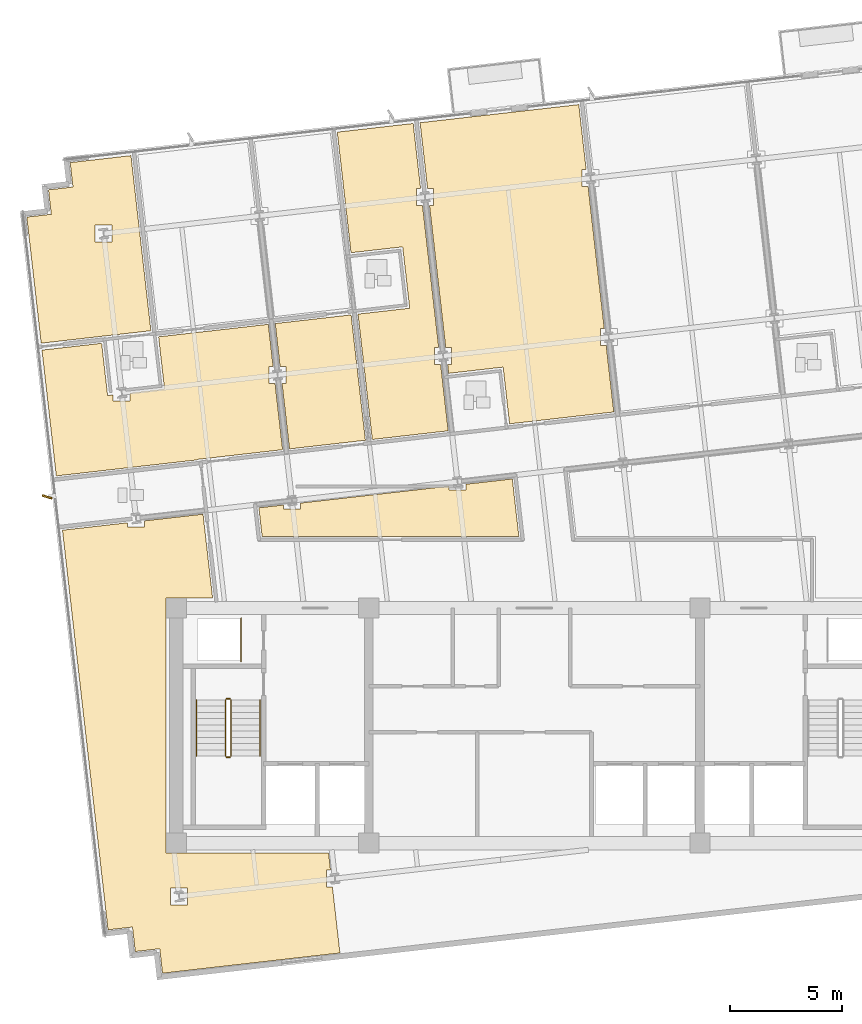
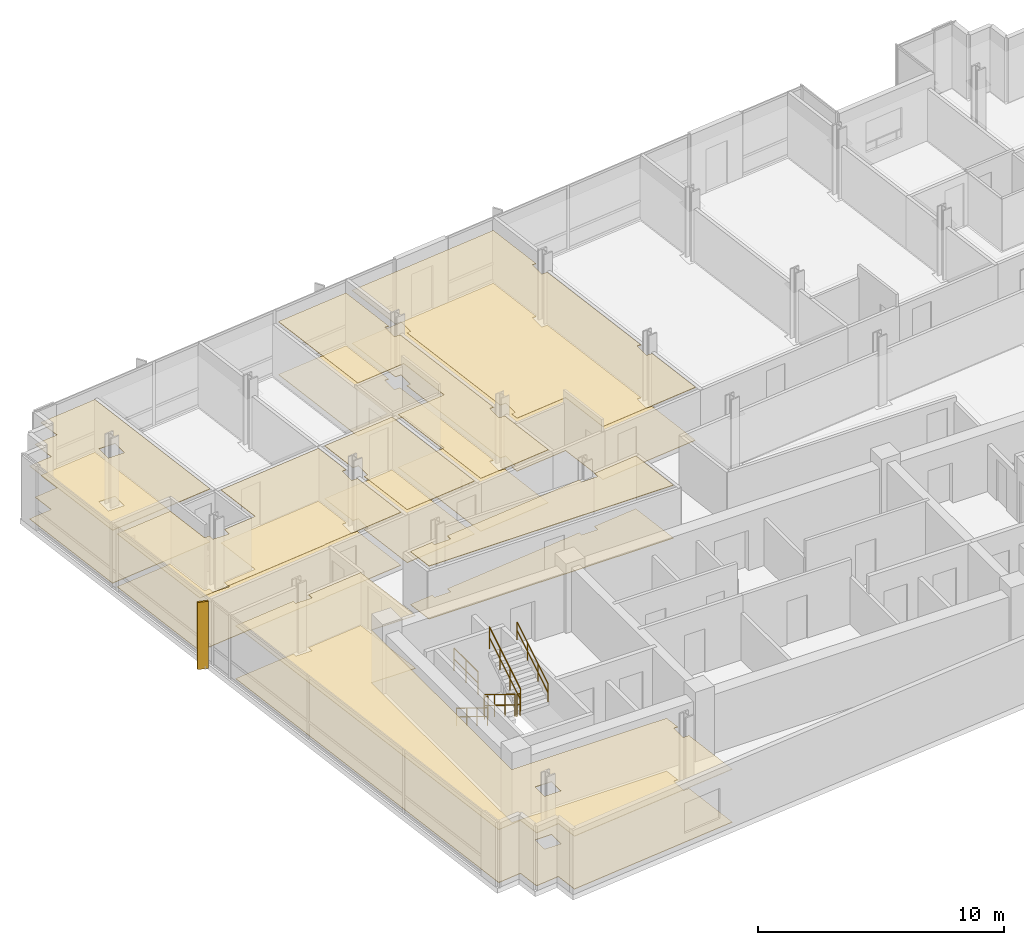
# One storey, part 13 of 16: 14 coverings, 7 railings, 1 shading device.
"""IFC4 building model written with IfcOpenShell, lengths in metres."""

from ifc_helpers import new_model, si_unit, direction, frame, origin, origin_2d, place, context, subcontext, project, spatial, polyline, rectangle, circle, outline, extrude, material, layer, layer_set, type_object, element, save


model = new_model("IFC4")

# Units and contexts
model_context = context("Model", 3, precision=1e-05, world=origin(), true_north=direction((0.0, 1.0)))
body_context = subcontext(model_context, "Body", "Model", "MODEL_VIEW")
ifc_project = project(units=[si_unit("LENGTHUNIT", "METRE"), si_unit("AREAUNIT", "SQUARE_METRE"), si_unit("VOLUMEUNIT", "CUBIC_METRE"), si_unit("PLANEANGLEUNIT", "RADIAN"), si_unit("MASSUNIT", "GRAM", prefix="KILO")], contexts=[model_context])

# Site, building, storey
site_placement = place(None, origin())
site = spatial("IfcSite", under=ifc_project, at=site_placement, CompositionType="ELEMENT")
building_placement = place(site_placement, origin())
building = spatial("IfcBuilding", under=site, at=building_placement, Name="Solmavex Isthmus Hotel", CompositionType="ELEMENT")
storey_placement = place(building_placement, frame((0.0, 0.0, 219.300048828125)))
storey = spatial("IfcBuildingStorey", under=building, at=storey_placement, Name="L59", CompositionType="ELEMENT", Elevation=219.300048828125)

# Coverings
ifc_material_1 = material(Name="Gypsum plasterboard lining", Category="gypsum")
ifc_layer_1 = layer(ifc_material_1, 0.030029296875)
ifc_layer_set_1 = layer_set([ifc_layer_1], Name="Gypsum plasterboard lining")
covering_type_1 = type_object("IfcCoveringType", Name="COV-CEIL-GYP", PredefinedType="CEILING", material=ifc_layer_set_1)
covering_1_placement = place(storey_placement, frame((0.0, 0.0, 2.619873046875)))
element("IfcCovering", 1, at=covering_1_placement, inside=storey, type_object=covering_type_1, Name="Suspended Acoustic Ceiling L59-ST01-FY", PredefinedType="CEILING", context=body_context, shape_type="SweptSolid", body=[
    extrude(outline(polyline([(-18.056396484375, 7.10693359375), (-18.056396484375, 6.739013671875), (-18.81640625, 6.739013671875), (-18.81640625, 7.0205078125), (-19.06689453125, 6.991943359375), (-19.3330078125, 9.32666015625), (-21.999755859375, 9.02294921875), (-21.359130859375, 3.4013671875), (-15.079833984375, 4.11669921875), (-15.08203125, 4.136474609375), (-11.2490234375, 4.5732421875), (-11.586181640625, 7.532470703125), (-11.853271484375, 7.532470703125), (-11.853271484375, 8.29248046875), (-11.672607421875, 8.29248046875), (-11.88720703125, 10.175048828125), (-16.78955078125, 9.616455078125), (-16.5234375, 7.28173828125), (-18.056396484375, 7.10693359375)])), origin(), (0.0, 0.0, 1.0), 0.030029296875),
])
covering_2_placement = place(storey_placement, frame((0.0, 0.0, 2.619873046875)))
element("IfcCovering", 2, at=covering_2_placement, inside=storey, type_object=covering_type_1, Name="Suspended Acoustic Ceiling L59-TB01", PredefinedType="CEILING", context=body_context, shape_type="SweptSolid", body=[
    extrude(outline(polyline([(-22.677001953125, 14.966552734375), (-22.58349609375, 14.146728515625), (-22.034912109375, 9.330810546875), (-17.132568359375, 9.889404296875), (-18.023681640625, 17.7109375), (-19.92041015625, 17.49462890625), (-20.740234375, 17.4013671875), (-20.615478515625, 16.308349609375), (-21.70849609375, 16.183837890625), (-21.583984375, 15.091064453125), (-22.677001953125, 14.966552734375)]), holes=[polyline([(-19.6259765625, 13.844970703125), (-19.6259765625, 14.60498046875), (-18.865966796875, 14.60498046875), (-18.865966796875, 13.844970703125), (-19.6259765625, 13.844970703125)])]), origin(), (0.0, 0.0, 1.0), 0.030029296875),
])
covering_3_placement = place(storey_placement, frame((0.0, 0.0, 2.619873046875)))
element("IfcCovering", 3, at=covering_3_placement, inside=storey, type_object=covering_type_1, Name="Suspended Acoustic Ceiling L59-SL02-FY", PredefinedType="CEILING", context=body_context, shape_type="SweptSolid", body=[
    extrude(outline(polyline([(-11.360595703125, 8.29248046875), (-11.09326171875, 8.29248046875), (-11.09326171875, 7.532470703125), (-11.274169921875, 7.532470703125), (-10.94091796875, 4.6083984375), (-7.5498046875, 4.994873046875), (-8.18798828125, 10.596435546875), (-11.5791015625, 10.210205078125), (-11.525634765625, 9.740234375), (-11.360595703125, 8.29248046875)])), origin(), (0.0, 0.0, 1.0), 0.030029296875),
])
covering_4_placement = place(storey_placement, frame((0.0, 0.0, 2.619873046875)))
element("IfcCovering", 4, at=covering_4_placement, inside=storey, type_object=covering_type_1, Name="Suspended Acoustic Ceiling L59-SV02", PredefinedType="CEILING", context=body_context, shape_type="SweptSolid", body=[
    extrude(outline(polyline([(-4.99755859375, 15.481201171875), (-5.264892578125, 15.481201171875), (-5.264892578125, 16.2412109375), (-5.084228515625, 16.2412109375), (-5.415283203125, 19.1474609375), (-8.806396484375, 18.760986328125), (-8.192626953125, 13.373779296875), (-5.884521484375, 13.636962890625), (-5.572021484375, 10.89453125), (-7.880126953125, 10.631591796875), (-7.241943359375, 5.02978515625), (-3.850830078125, 5.416259765625), (-4.18798828125, 8.375244140625), (-4.455322265625, 8.375244140625), (-4.455322265625, 9.13525390625), (-4.2744140625, 9.13525390625), (-4.99755859375, 15.481201171875)])), origin(), (0.0, 0.0, 1.0), 0.030029296875),
])
covering_5_placement = place(storey_placement, frame((0.0, 0.0, 2.619873046875)))
element("IfcCovering", 5, at=covering_5_placement, inside=storey, type_object=covering_type_1, Name="Suspended Acoustic Ceiling L59-RM03", PredefinedType="CEILING", context=body_context, shape_type="SweptSolid", body=[
    extrude(outline(polyline([(-3.962646484375, 9.13525390625), (-3.6953125, 9.13525390625), (-3.6953125, 8.375244140625), (-3.8759765625, 8.375244140625), (-3.83154296875, 7.98486328125), (-1.397216796875, 8.26220703125), (-1.108642578125, 5.728759765625), (3.54736328125, 6.259033203125), (3.210205078125, 9.21826171875), (2.94287109375, 9.21826171875), (2.94287109375, 9.978271484375), (3.12353515625, 9.978271484375), (2.400634765625, 16.32421875), (2.13330078125, 16.32421875), (2.13330078125, 17.084228515625), (2.31396484375, 17.084228515625), (1.98291015625, 19.990234375), (-5.107177734375, 19.182373046875), (-4.772216796875, 16.2412109375), (-4.5048828125, 16.2412109375), (-4.5048828125, 15.481201171875), (-4.685546875, 15.481201171875), (-3.962646484375, 9.13525390625)])), origin(), (0.0, 0.0, 1.0), 0.030029296875),
])
covering_6_placement = place(storey_placement, frame((0.0, 0.0, 2.619873046875)))
element("IfcCovering", 6, at=covering_6_placement, inside=storey, type_object=covering_type_1, Name="Suspended Acoustic Ceiling L59-FL09", PredefinedType="CEILING", context=body_context, shape_type="SweptSolid", body=[
    extrude(outline(polyline([(-10.4541015625, 2.18798828125), (-10.4541015625, 1.920654296875), (-11.214111328125, 1.920654296875), (-11.214111328125, 2.101318359375), (-12.309814453125, 1.9765625), (-12.1650390625, 0.705078125), (-0.694091796875, 0.705078125), (-0.986083984375, 3.2666015625), (-3.055908203125, 3.03076171875), (-3.055908203125, 2.763671875), (-3.81591796875, 2.763671875), (-3.81591796875, 2.9443359375), (-10.4541015625, 2.18798828125)])), origin(), (0.0, 0.0, 1.0), 0.030029296875),
])
covering_7_placement = place(storey_placement, frame((0.0, 0.0, 2.619873046875)))
element("IfcCovering", 7, at=covering_7_placement, inside=storey, type_object=covering_type_1, Name="Suspended Acoustic Ceiling L59-FL10", PredefinedType="CEILING", context=body_context, shape_type="SweptSolid", body=[
    extrude(outline(polyline([(-17.4169921875, 1.39453125), (-17.4169921875, 1.12744140625), (-18.177001953125, 1.12744140625), (-18.177001953125, 1.30810546875), (-21.0830078125, 0.97705078125), (-20.166748046875, -7.06591796875), (-19.572265625, -12.2822265625), (-19.14208984375, -16.057861328125), (-19.048828125, -16.87744140625), (-17.955810546875, -16.7529296875), (-17.873779296875, -17.473388671875), (-17.831298828125, -17.845947265625), (-16.73828125, -17.721435546875), (-16.61376953125, -18.814453125), (-15.794189453125, -18.720947265625), (-8.687255859375, -17.9111328125), (-8.85400390625, -16.44580078125), (-9.022216796875, -14.969970703125), (-9.28955078125, -14.969970703125), (-9.28955078125, -14.2099609375), (-9.10888671875, -14.2099609375), (-9.19482421875, -13.455078125), (-16.455078125, -13.455078125), (-16.455078125, -2.044921875), (-14.3779296875, -2.044921875), (-14.8037109375, 1.6923828125), (-17.4169921875, 1.39453125)]), holes=[polyline([(-16.25244140625, -15.763427734375), (-16.25244140625, -15.00341796875), (-15.492431640625, -15.00341796875), (-15.492431640625, -15.763427734375), (-16.25244140625, -15.763427734375)])]), origin(), (0.0, 0.0, 1.0), 0.030029296875),
])
ifc_material_2 = material(Name="Travertine natural stone", Category="masonry")
ifc_layer_2 = layer(ifc_material_2, 0.02490234375)
ifc_layer_set_2 = layer_set([ifc_layer_2], Name="Travertine natural stone")
covering_type_2 = type_object("IfcCoveringType", Name="COV-FLOR-STN", PredefinedType="FLOORING", material=ifc_layer_set_2)
covering_8_placement = place(storey_placement, origin())
element("IfcCovering", 8, at=covering_8_placement, inside=storey, type_object=covering_type_2, Name="Stone and Timber Floor Finish L59-ST01-FY", PredefinedType="FLOORING", context=body_context, shape_type="SweptSolid", body=[
    extrude(outline(polyline([(-18.056396484375, 7.10693359375), (-18.056396484375, 6.739013671875), (-18.81640625, 6.739013671875), (-18.81640625, 7.0205078125), (-19.06689453125, 6.991943359375), (-19.3330078125, 9.32666015625), (-21.999755859375, 9.02294921875), (-21.359130859375, 3.4013671875), (-15.079833984375, 4.11669921875), (-15.08203125, 4.136474609375), (-11.2490234375, 4.5732421875), (-11.586181640625, 7.532470703125), (-11.853271484375, 7.532470703125), (-11.853271484375, 8.29248046875), (-11.672607421875, 8.29248046875), (-11.88720703125, 10.175048828125), (-16.78955078125, 9.616455078125), (-16.5234375, 7.28173828125), (-18.056396484375, 7.10693359375)])), origin(), (0.0, 0.0, 1.0), 0.02490234375),
])
covering_9_placement = place(storey_placement, origin())
element("IfcCovering", 9, at=covering_9_placement, inside=storey, type_object=covering_type_2, Name="Stone and Timber Floor Finish L59-TB01", PredefinedType="FLOORING", context=body_context, shape_type="SweptSolid", body=[
    extrude(outline(polyline([(-22.677001953125, 14.966552734375), (-22.58349609375, 14.146728515625), (-22.034912109375, 9.330810546875), (-17.132568359375, 9.889404296875), (-18.023681640625, 17.7109375), (-19.92041015625, 17.49462890625), (-20.740234375, 17.4013671875), (-20.615478515625, 16.308349609375), (-21.70849609375, 16.183837890625), (-21.583984375, 15.091064453125), (-22.677001953125, 14.966552734375)]), holes=[polyline([(-19.6259765625, 13.844970703125), (-19.6259765625, 14.60498046875), (-18.865966796875, 14.60498046875), (-18.865966796875, 13.844970703125), (-19.6259765625, 13.844970703125)])]), origin(), (0.0, 0.0, 1.0), 0.02490234375),
])
covering_10_placement = place(storey_placement, origin())
element("IfcCovering", 10, at=covering_10_placement, inside=storey, type_object=covering_type_2, Name="Stone and Timber Floor Finish L59-SL02-FY", PredefinedType="FLOORING", context=body_context, shape_type="SweptSolid", body=[
    extrude(outline(polyline([(-11.360595703125, 8.29248046875), (-11.09326171875, 8.29248046875), (-11.09326171875, 7.532470703125), (-11.274169921875, 7.532470703125), (-10.94091796875, 4.6083984375), (-7.5498046875, 4.994873046875), (-8.18798828125, 10.596435546875), (-11.5791015625, 10.210205078125), (-11.525634765625, 9.740234375), (-11.360595703125, 8.29248046875)])), origin(), (0.0, 0.0, 1.0), 0.02490234375),
])
covering_11_placement = place(storey_placement, origin())
element("IfcCovering", 11, at=covering_11_placement, inside=storey, type_object=covering_type_2, Name="Stone and Timber Floor Finish L59-SV02", PredefinedType="FLOORING", context=body_context, shape_type="SweptSolid", body=[
    extrude(outline(polyline([(-4.99755859375, 15.481201171875), (-5.264892578125, 15.481201171875), (-5.264892578125, 16.2412109375), (-5.084228515625, 16.2412109375), (-5.415283203125, 19.1474609375), (-8.806396484375, 18.760986328125), (-8.192626953125, 13.373779296875), (-5.884521484375, 13.636962890625), (-5.572021484375, 10.89453125), (-7.880126953125, 10.631591796875), (-7.241943359375, 5.02978515625), (-3.850830078125, 5.416259765625), (-4.18798828125, 8.375244140625), (-4.455322265625, 8.375244140625), (-4.455322265625, 9.13525390625), (-4.2744140625, 9.13525390625), (-4.99755859375, 15.481201171875)])), origin(), (0.0, 0.0, 1.0), 0.02490234375),
])
covering_12_placement = place(storey_placement, origin())
element("IfcCovering", 12, at=covering_12_placement, inside=storey, type_object=covering_type_2, Name="Stone and Timber Floor Finish L59-RM03", PredefinedType="FLOORING", context=body_context, shape_type="SweptSolid", body=[
    extrude(outline(polyline([(-3.962646484375, 9.13525390625), (-3.6953125, 9.13525390625), (-3.6953125, 8.375244140625), (-3.8759765625, 8.375244140625), (-3.83154296875, 7.98486328125), (-1.397216796875, 8.26220703125), (-1.108642578125, 5.728759765625), (3.54736328125, 6.259033203125), (3.210205078125, 9.21826171875), (2.94287109375, 9.21826171875), (2.94287109375, 9.978271484375), (3.12353515625, 9.978271484375), (2.400634765625, 16.32421875), (2.13330078125, 16.32421875), (2.13330078125, 17.084228515625), (2.31396484375, 17.084228515625), (1.98291015625, 19.990234375), (-5.107177734375, 19.182373046875), (-4.772216796875, 16.2412109375), (-4.5048828125, 16.2412109375), (-4.5048828125, 15.481201171875), (-4.685546875, 15.481201171875), (-3.962646484375, 9.13525390625)])), origin(), (0.0, 0.0, 1.0), 0.02490234375),
])
covering_13_placement = place(storey_placement, origin())
element("IfcCovering", 13, at=covering_13_placement, inside=storey, type_object=covering_type_2, Name="Stone and Timber Floor Finish L59-FL09", PredefinedType="FLOORING", context=body_context, shape_type="SweptSolid", body=[
    extrude(outline(polyline([(-10.4541015625, 2.18798828125), (-10.4541015625, 1.920654296875), (-11.214111328125, 1.920654296875), (-11.214111328125, 2.101318359375), (-12.309814453125, 1.9765625), (-12.1650390625, 0.705078125), (-0.694091796875, 0.705078125), (-0.986083984375, 3.2666015625), (-3.055908203125, 3.03076171875), (-3.055908203125, 2.763671875), (-3.81591796875, 2.763671875), (-3.81591796875, 2.9443359375), (-10.4541015625, 2.18798828125)])), origin(), (0.0, 0.0, 1.0), 0.02490234375),
])
covering_14_placement = place(storey_placement, origin())
element("IfcCovering", 14, at=covering_14_placement, inside=storey, type_object=covering_type_2, Name="Stone and Timber Floor Finish L59-FL10", PredefinedType="FLOORING", context=body_context, shape_type="SweptSolid", body=[
    extrude(outline(polyline([(-17.4169921875, 1.39453125), (-17.4169921875, 1.12744140625), (-18.177001953125, 1.12744140625), (-18.177001953125, 1.30810546875), (-21.0830078125, 0.97705078125), (-20.166748046875, -7.06591796875), (-19.572265625, -12.2822265625), (-19.14208984375, -16.057861328125), (-19.048828125, -16.87744140625), (-17.955810546875, -16.7529296875), (-17.873779296875, -17.473388671875), (-17.831298828125, -17.845947265625), (-16.73828125, -17.721435546875), (-16.61376953125, -18.814453125), (-15.794189453125, -18.720947265625), (-8.687255859375, -17.9111328125), (-8.85400390625, -16.44580078125), (-9.022216796875, -14.969970703125), (-9.28955078125, -14.969970703125), (-9.28955078125, -14.2099609375), (-9.10888671875, -14.2099609375), (-9.19482421875, -13.455078125), (-16.455078125, -13.455078125), (-16.455078125, -2.044921875), (-14.3779296875, -2.044921875), (-14.8037109375, 1.6923828125), (-17.4169921875, 1.39453125)]), holes=[polyline([(-16.25244140625, -15.763427734375), (-16.25244140625, -15.00341796875), (-15.492431640625, -15.00341796875), (-15.492431640625, -15.763427734375), (-16.25244140625, -15.763427734375)])]), origin(), (0.0, 0.0, 1.0), 0.02490234375),
])

# Railings
ifc_material_3 = material(Name="Clear low-E laminated glass", Category="glass")
ifc_layer_3 = layer(ifc_material_3, 0.080078125)
ifc_layer_set_3 = layer_set([ifc_layer_3], Name="Clear low-E laminated glass")
railing_type_1 = type_object("IfcRailingType", Name="RAIL-ATRIUM-1120", PredefinedType="BALUSTRADE", material=ifc_layer_set_3)
railing_1_placement = place(storey_placement, frame((-13.10009765625, -4.89990234375, 0.0)))
element("IfcRailing", 15, at=railing_1_placement, inside=storey, type_object=railing_type_1, Name="Guardrail Balustrade L59-RSW-01", PredefinedType="BALUSTRADE", context=body_context, shape_type="SweptSolid", body=[
    extrude(circle(Radius=0.02392578125, at=origin_2d()), frame((0.0, 0.0, 1.1259765625), z_axis=(0.0, 1.0, 0.0), x_axis=(-1.0, 0.0, 0.0)), (0.0, 0.0, 1.0), 1.949951171875),
    extrude(circle(Radius=0.02392578125, at=origin_2d()), frame((0.0, 0.0, 0.574951171875), z_axis=(0.0, 1.0, 0.0), x_axis=(-1.0, 0.0, 0.0)), (0.0, 0.0, 1.0), 1.949951171875),
    extrude(circle(Radius=0.02099609375, at=origin_2d()), origin(), (0.0, 0.0, 1.0), 1.101806640625),
    extrude(circle(Radius=0.02099609375, at=origin_2d()), frame((0.0, 0.97509765625, 0.0)), (0.0, 0.0, 1.0), 1.101806640625),
    extrude(circle(Radius=0.02099609375, at=origin_2d()), frame((0.0, 1.949951171875, 0.0)), (0.0, 0.0, 1.0), 1.101806640625),
])
ifc_material_4 = material(Name="Stainless steel 316", Category="steel")
ifc_layer_4 = layer(ifc_material_4, 0.06005859375)
ifc_layer_set_4 = layer_set([ifc_layer_4], Name="Stainless steel 316")
railing_type_2 = type_object("IfcRailingType", Name="RAIL-STAIR-GD", PredefinedType="GUARDRAIL", material=ifc_layer_set_4)
railing_2_placement = place(storey_placement, frame((-13.800048828125, -6.60009765625, 0.17236328125)))
element("IfcRailing", 16, at=railing_2_placement, inside=storey, type_object=railing_type_2, Name="L59 ST-1 stair guard 1", PredefinedType="GUARDRAIL", context=body_context, shape_type="SweptSolid", body=[
    extrude(circle(Radius=0.02392578125, at=origin_2d()), frame((0.0, 0.0, 1.09619140625), z_axis=(0.0, -0.851400495292, 0.524516154772), x_axis=(1.0, 0.0, 0.0)), (0.0, 0.0, 1.0), 2.9599609375),
    extrude(circle(Radius=0.02392578125, at=origin_2d()), frame((0.0, 0.0, 0.56005859375), z_axis=(0.0, -0.851400495292, 0.524516154772), x_axis=(1.0, 0.0, 0.0)), (0.0, 0.0, 1.0), 2.9599609375),
    extrude(circle(Radius=0.02099609375, at=origin_2d()), origin(), (0.0, 0.0, 1.0), 1.072021484375),
    extrude(circle(Radius=0.02099609375, at=origin_2d()), frame((0.0, -0.840087890625, 0.517578125)), (0.0, 0.0, 1.0), 1.072021484375),
    extrude(circle(Radius=0.02099609375, at=origin_2d()), frame((0.0, -1.679931640625, 1.034912109375)), (0.0, 0.0, 1.0), 1.072021484375),
    extrude(circle(Radius=0.02099609375, at=origin_2d()), frame((0.0, -2.52001953125, 1.552490234375)), (0.0, 0.0, 1.0), 1.072021484375),
])
railing_3_placement = place(storey_placement, frame((-13.75, -9.169921875, 1.724853515625)))
element("IfcRailing", 17, at=railing_3_placement, inside=storey, type_object=railing_type_2, Name="L59 ST-1 stair guard 2", PredefinedType="GUARDRAIL", context=body_context, shape_type="SweptSolid", body=[
    extrude(circle(Radius=0.02392578125, at=origin_2d()), frame((0.0, 0.0, 1.09619140625), z_axis=(1.0, 0.0, 0.0), x_axis=(0.0, 1.0, 0.0)), (0.0, 0.0, 1.0), 0.14990234375),
    extrude(circle(Radius=0.02392578125, at=origin_2d()), frame((0.0, 0.0, 0.56005859375), z_axis=(1.0, 0.0, 0.0), x_axis=(0.0, 1.0, 0.0)), (0.0, 0.0, 1.0), 0.14990234375),
    extrude(circle(Radius=0.02099609375, at=origin_2d()), origin(), (0.0, 0.0, 1.0), 1.072021484375),
    extrude(circle(Radius=0.02099609375, at=origin_2d()), frame((0.14990234375, 0.0, 0.0)), (0.0, 0.0, 1.0), 1.072021484375),
])
railing_4_placement = place(storey_placement, frame((-13.550048828125, -9.1201171875, 1.8974609375)))
element("IfcRailing", 18, at=railing_4_placement, inside=storey, type_object=railing_type_2, Name="L59 ST-1 stair guard 3", PredefinedType="GUARDRAIL", context=body_context, shape_type="SweptSolid", body=[
    extrude(circle(Radius=0.02392578125, at=origin_2d()), frame((0.0, 0.0, 1.09619140625), z_axis=(0.0, 0.851400495292, 0.524516154772), x_axis=(-1.0, 0.0, 0.0)), (0.0, 0.0, 1.0), 2.9599609375),
    extrude(circle(Radius=0.02392578125, at=origin_2d()), frame((0.0, 0.0, 0.56005859375), z_axis=(0.0, 0.851400495292, 0.524516154772), x_axis=(-1.0, 0.0, 0.0)), (0.0, 0.0, 1.0), 2.9599609375),
    extrude(circle(Radius=0.02099609375, at=origin_2d()), origin(), (0.0, 0.0, 1.0), 1.072021484375),
    extrude(circle(Radius=0.02099609375, at=origin_2d()), frame((0.0, 0.840087890625, 0.517578125)), (0.0, 0.0, 1.0), 1.072021484375),
    extrude(circle(Radius=0.02099609375, at=origin_2d()), frame((0.0, 1.679931640625, 1.034912109375)), (0.0, 0.0, 1.0), 1.072021484375),
    extrude(circle(Radius=0.02099609375, at=origin_2d()), frame((0.0, 2.52001953125, 1.552490234375)), (0.0, 0.0, 1.0), 1.072021484375),
])
railing_5_placement = place(storey_placement, frame((-13.75, -6.550048828125, 0.0)))
element("IfcRailing", 19, at=railing_5_placement, inside=storey, type_object=railing_type_2, Name="L59 ST-1 stair guard 4", PredefinedType="GUARDRAIL", context=body_context, shape_type="SweptSolid", body=[
    extrude(circle(Radius=0.02392578125, at=origin_2d()), frame((0.0, 0.0, 1.09619140625), z_axis=(1.0, 0.0, 0.0), x_axis=(0.0, 1.0, 0.0)), (0.0, 0.0, 1.0), 0.14990234375),
    extrude(circle(Radius=0.02392578125, at=origin_2d()), frame((0.0, 0.0, 0.56005859375), z_axis=(1.0, 0.0, 0.0), x_axis=(0.0, 1.0, 0.0)), (0.0, 0.0, 1.0), 0.14990234375),
    extrude(circle(Radius=0.02099609375, at=origin_2d()), origin(), (0.0, 0.0, 1.0), 1.072021484375),
    extrude(circle(Radius=0.02099609375, at=origin_2d()), frame((0.14990234375, 0.0, 0.0)), (0.0, 0.0, 1.0), 1.072021484375),
])
ifc_layer_5 = layer(ifc_material_4, 0.050048828125)
ifc_layer_set_5 = layer_set([ifc_layer_5], Name="Stainless steel 316")
railing_type_3 = type_object("IfcRailingType", Name="RAIL-STAIR-HR", PredefinedType="HANDRAIL", material=ifc_layer_set_5)
railing_6_placement = place(storey_placement, frame((-15.10009765625, -6.60009765625, 0.17236328125)))
element("IfcRailing", 20, at=railing_6_placement, inside=storey, type_object=railing_type_3, Name="L59 ST-1 stair handrail 1", PredefinedType="HANDRAIL", context=body_context, shape_type="SweptSolid", body=[
    extrude(circle(Radius=0.02392578125, at=origin_2d()), frame((0.0, 0.0, 0.8759765625), z_axis=(0.0, -0.851400495292, 0.524516154772), x_axis=(1.0, 0.0, 0.0)), (0.0, 0.0, 1.0), 2.9599609375),
    extrude(circle(Radius=0.02392578125, at=origin_2d()), frame((0.0, 0.0, 0.449951171875), z_axis=(0.0, -0.851400495292, 0.524516154772), x_axis=(1.0, 0.0, 0.0)), (0.0, 0.0, 1.0), 2.9599609375),
    extrude(circle(Radius=0.02099609375, at=origin_2d()), origin(), (0.0, 0.0, 1.0), 0.851806640625),
    extrude(circle(Radius=0.02099609375, at=origin_2d()), frame((0.0, -0.840087890625, 0.517578125)), (0.0, 0.0, 1.0), 0.851806640625),
    extrude(circle(Radius=0.02099609375, at=origin_2d()), frame((0.0, -1.679931640625, 1.034912109375)), (0.0, 0.0, 1.0), 0.851806640625),
    extrude(circle(Radius=0.02099609375, at=origin_2d()), frame((0.0, -2.52001953125, 1.552490234375)), (0.0, 0.0, 1.0), 0.851806640625),
])
railing_7_placement = place(storey_placement, frame((-12.25, -9.1201171875, 1.8974609375)))
element("IfcRailing", 21, at=railing_7_placement, inside=storey, type_object=railing_type_3, Name="L59 ST-1 stair handrail 2", PredefinedType="HANDRAIL", context=body_context, shape_type="SweptSolid", body=[
    extrude(circle(Radius=0.02392578125, at=origin_2d()), frame((0.0, 0.0, 0.8759765625), z_axis=(0.0, 0.851400495292, 0.524516154772), x_axis=(-1.0, 0.0, 0.0)), (0.0, 0.0, 1.0), 2.9599609375),
    extrude(circle(Radius=0.02392578125, at=origin_2d()), frame((0.0, 0.0, 0.449951171875), z_axis=(0.0, 0.851400495292, 0.524516154772), x_axis=(-1.0, 0.0, 0.0)), (0.0, 0.0, 1.0), 2.9599609375),
    extrude(circle(Radius=0.02099609375, at=origin_2d()), origin(), (0.0, 0.0, 1.0), 0.851806640625),
    extrude(circle(Radius=0.02099609375, at=origin_2d()), frame((0.0, 0.840087890625, 0.517578125)), (0.0, 0.0, 1.0), 0.851806640625),
    extrude(circle(Radius=0.02099609375, at=origin_2d()), frame((0.0, 1.679931640625, 1.034912109375)), (0.0, 0.0, 1.0), 0.851806640625),
    extrude(circle(Radius=0.02099609375, at=origin_2d()), frame((0.0, 2.52001953125, 1.552490234375)), (0.0, 0.0, 1.0), 0.851806640625),
])

# Shading device
ifc_material_5 = material(Name="Aluminium alloy 6063-T6", Category="aluminium")
shading_device_type = type_object("IfcShadingDeviceType", Name="SHD-FIN-BRONZE", PredefinedType="USERDEFINED", material=ifc_material_5)
shading_device_placement = place(storey_placement, frame((-21.770751953125, 2.463623046875, -0.14013671875), z_axis=(0.0, 0.0, 1.0), x_axis=(-0.953716950748, 0.300705799504, 0.0)))
element("IfcShadingDevice", 22, at=shading_device_placement, inside=storey, type_object=shading_device_type, Name="Anodised Aluminium Solar Fin L59-W1", ObjectType="SOLAR_FIN", PredefinedType="USERDEFINED", context=body_context, shape_type="SweptSolid", body=[
    extrude(rectangle(XDim=0.449951171875, YDim=0.080078125, at=origin_2d()), origin(), (0.0, 0.0, 1.0), 3.330078125),
])

save(model, "model.ifc")
